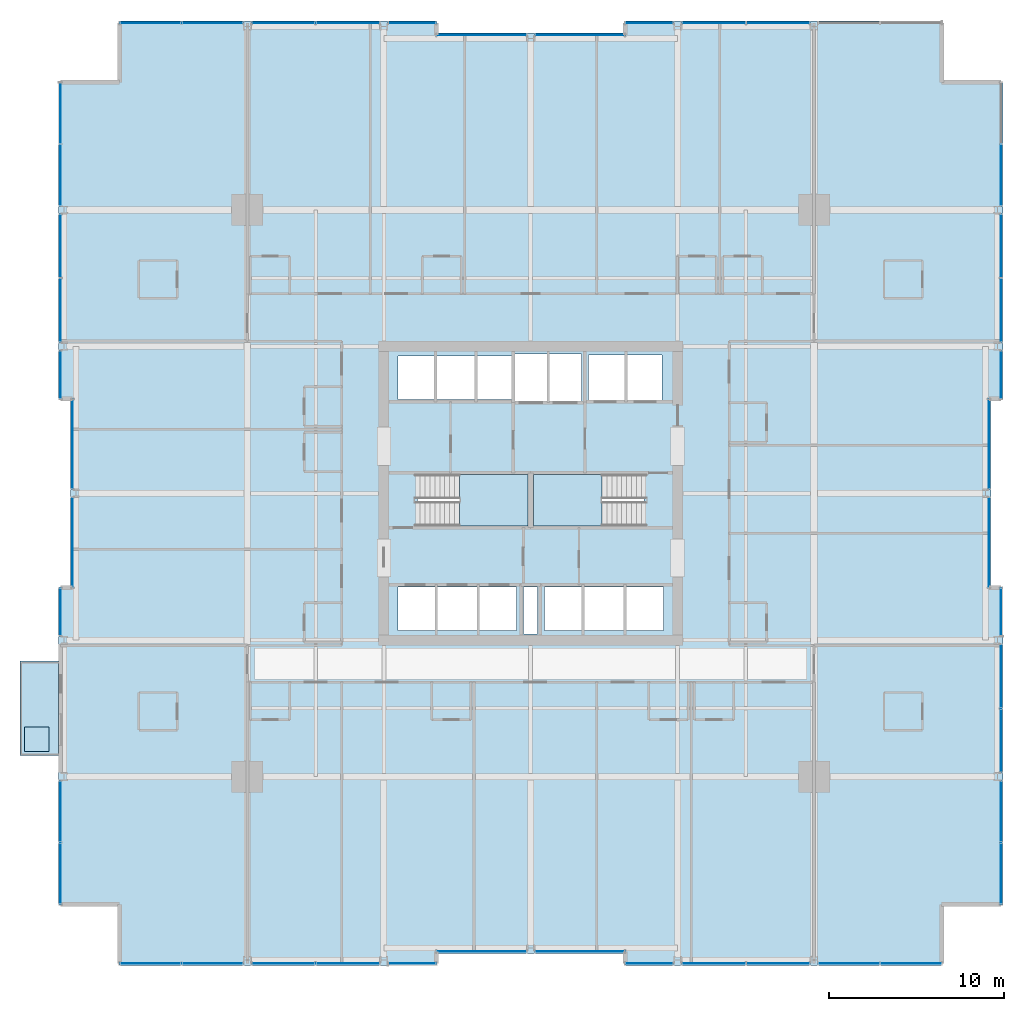
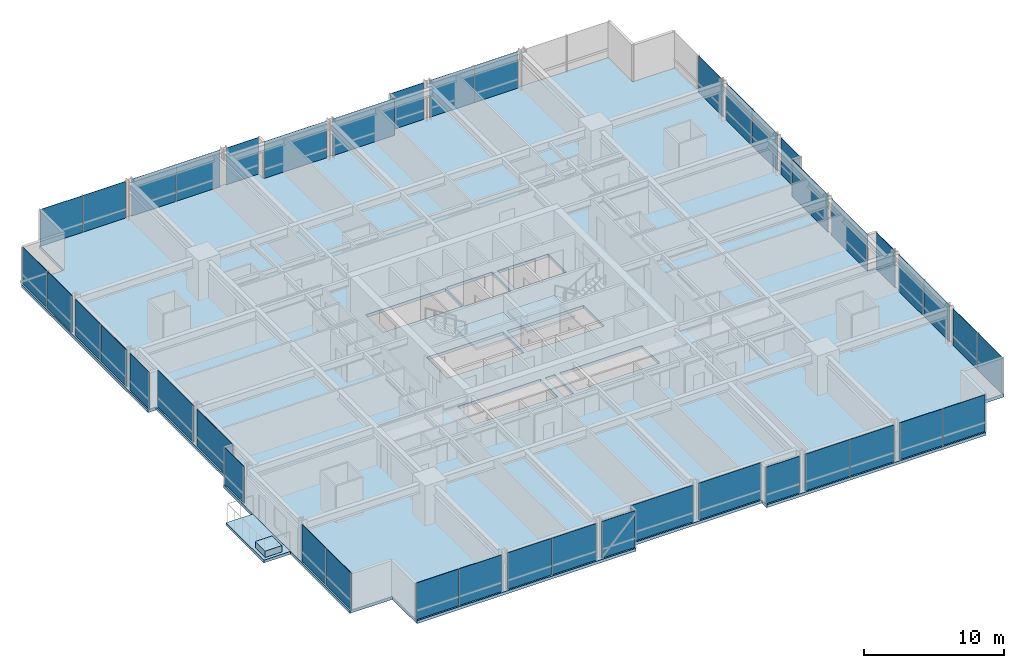
# One storey, part 29 of 38: 43 plates, 5 slabs, 32 elements without a shape of their own.
"""IFC4 building model written with IfcOpenShell, lengths in metres."""

from ifc_helpers import new_model, si_unit, direction, frame, origin, origin_2d, place, context, subcontext, project, spatial, polyline, rectangle, outline, extrude, material, layer, layer_set, type_object, element, aggregate, save


model = new_model("IFC4")

# Units and contexts
model_context = context("Model", 3, precision=1e-05, world=origin(), true_north=direction((0.0, 1.0)))
body_context = subcontext(model_context, "Body", "Model", "MODEL_VIEW")
ifc_project = project(units=[si_unit("LENGTHUNIT", "METRE"), si_unit("AREAUNIT", "SQUARE_METRE"), si_unit("VOLUMEUNIT", "CUBIC_METRE"), si_unit("PLANEANGLEUNIT", "RADIAN"), si_unit("MASSUNIT", "GRAM", prefix="KILO")], contexts=[model_context])

# Site, building, storey
site_placement = place(None, origin())
site = spatial("IfcSite", under=ifc_project, at=site_placement, CompositionType="ELEMENT")
building_placement = place(site_placement, origin())
building = spatial("IfcBuilding", under=site, at=building_placement, Name="Drelvath Grand Hotel", CompositionType="ELEMENT")
storey_placement = place(building_placement, frame((0.0, 0.0, 61.199951171875)))
storey = spatial("IfcBuildingStorey", under=building, at=storey_placement, Name="L14", CompositionType="ELEMENT", Elevation=61.199951171875)

# Slabs
ifc_material_1 = material(Name="Concrete f'c 40 MPa", Category="concrete")
ifc_layer_1 = layer(ifc_material_1, 0.239990234375)
ifc_layer_set_1 = layer_set([ifc_layer_1], Name="Concrete f'c 40 MPa")
slab_type_1 = type_object("IfcSlabType", Name="Cantilevered Tree Balcony Slab 240", PredefinedType="FLOOR", material=ifc_layer_set_1)
slab_1_placement = place(storey_placement, frame((0.0, 0.0, -0.239990234375)))
element("IfcSlab", 1, at=slab_1_placement, inside=storey, type_object=slab_type_1, Name="L14 Cantilevered Tree Balcony Slab 1", PredefinedType="FLOOR", context=body_context, shape_type="SweptSolid", body=[
    extrude(outline(polyline([(-29.199951171875, 12.0), (-27.0, 12.0), (-27.0, 17.39990234375), (-29.199951171875, 17.39990234375), (-29.199951171875, 12.0)])), origin(), (0.0, 0.0, 1.0), 0.239990234375),
])
ifc_layer_2 = layer(ifc_material_1, 0.260009765625)
ifc_layer_set_2 = layer_set([ifc_layer_2], Name="Concrete f'c 40 MPa")
slab_type_2 = type_object("IfcSlabType", Name="Composite RC Floor Slab 260", PredefinedType="FLOOR", material=ifc_layer_set_2)
slab_2_placement = place(storey_placement, frame((0.0, 0.0, -0.260009765625)))
element("IfcSlab", 2, at=slab_2_placement, inside=storey, type_object=slab_type_2, Name="L14 Structural Floor Slab", PredefinedType="FLOOR", context=body_context, shape_type="SweptSolid", body=[
    extrude(outline(polyline([(-23.5, 0.0), (-5.39990234375, 0.0), (-5.39990234375, 0.679931640625), (5.39990234375, 0.679931640625), (5.39990234375, 0.0), (23.5, 0.0), (23.5, 3.5), (27.0, 3.5), (27.0, 21.60009765625), (26.320068359375, 21.60009765625), (26.320068359375, 32.39990234375), (27.0, 32.39990234375), (27.0, 50.5), (23.5, 50.5), (23.5, 54.0), (5.39990234375, 54.0), (5.39990234375, 53.320068359375), (-5.39990234375, 53.320068359375), (-5.39990234375, 54.0), (-23.5, 54.0), (-23.5, 50.5), (-27.0, 50.5), (-27.0, 32.39990234375), (-26.320068359375, 32.39990234375), (-26.320068359375, 21.60009765625), (-27.0, 21.60009765625), (-27.0, 3.5), (-23.5, 3.5), (-23.5, 0.0)]), holes=[polyline([(-6.47998046875, 25.1201171875), (-6.47998046875, 28.080078125), (-0.14990234375, 28.080078125), (-0.14990234375, 25.1201171875), (-6.47998046875, 25.1201171875)]), polyline([(0.14990234375, 25.1201171875), (0.14990234375, 28.080078125), (6.47998046875, 28.080078125), (6.47998046875, 25.1201171875), (0.14990234375, 25.1201171875)]), polyline([(-7.60009765625, 19.14990234375), (-7.60009765625, 21.64990234375), (-0.800048828125, 21.64990234375), (-0.800048828125, 19.14990234375), (-7.60009765625, 19.14990234375)]), polyline([(-0.39990234375, 18.9599609375), (-0.39990234375, 21.639892578125), (0.39990234375, 21.639892578125), (0.39990234375, 18.9599609375), (-0.39990234375, 18.9599609375)]), polyline([(0.800048828125, 19.14990234375), (0.800048828125, 21.64990234375), (7.60009765625, 21.64990234375), (7.60009765625, 19.14990234375), (0.800048828125, 19.14990234375)]), polyline([(-7.60009765625, 32.35009765625), (-7.60009765625, 34.85009765625), (-1.02001953125, 34.85009765625), (-1.02001953125, 32.35009765625), (-7.60009765625, 32.35009765625)]), polyline([(-0.89990234375, 32.25), (-0.89990234375, 34.949951171875), (2.89990234375, 34.949951171875), (2.89990234375, 32.25), (-0.89990234375, 32.25)]), polyline([(3.300048828125, 32.300048828125), (3.300048828125, 34.89990234375), (7.5, 34.89990234375), (7.5, 32.300048828125), (3.300048828125, 32.300048828125)])]), origin(), (0.0, 0.0, 1.0), 0.260009765625),
])

# Stair, slab
ifc_material_2 = material(Name="Concrete C40/50", Category="concrete")
stair_type = type_object("IfcStairType", Name="Dogleg Exit Stair W1400-R175.0", PredefinedType="HALF_TURN_STAIR", material=ifc_material_2)
stair_1_placement = place(storey_placement, origin())
stair_1 = element("IfcStair", 3, at=stair_1_placement, inside=storey, type_object=stair_type, Name="L14 Core Exit Stair ST-1", PredefinedType="HALF_TURN_STAIR")
ifc_layer_3 = layer(ifc_material_2, 0.199951171875)
ifc_layer_set_3 = layer_set([ifc_layer_3], Name="Concrete C40/50")
slab_type_3 = type_object("IfcSlabType", Name="Concrete Stair Landing Slab 200", PredefinedType="LANDING", material=ifc_layer_set_3)
slab_3_placement = place(storey_placement, frame((0.0, 0.0, 1.550048828125)))
slab_3 = element("IfcSlab", 4, at=slab_3_placement, type_object=slab_type_3, Name="ST-1 landing 1", PredefinedType="LANDING", context=body_context, shape_type="SweptSolid", body=[
    extrude(outline(polyline([(-4.080078125, 25.1201171875), (-0.14990234375, 25.1201171875), (-0.14990234375, 28.080078125), (-4.080078125, 28.080078125), (-4.080078125, 25.1201171875)])), origin(), (0.0, 0.0, 1.0), 0.199951171875),
])
aggregate(stair_1, [slab_3])

stair_2_placement = place(storey_placement, origin())
stair_2 = element("IfcStair", 5, at=stair_2_placement, inside=storey, type_object=stair_type, Name="L14 Core Exit Stair ST-2", PredefinedType="HALF_TURN_STAIR")
slab_4_placement = place(storey_placement, frame((0.0, 0.0, 1.550048828125)))
slab_4 = element("IfcSlab", 6, at=slab_4_placement, type_object=slab_type_3, Name="ST-2 landing 1", PredefinedType="LANDING", context=body_context, shape_type="SweptSolid", body=[
    extrude(outline(polyline([(4.080078125, 28.080078125), (0.14990234375, 28.080078125), (0.14990234375, 25.1201171875), (4.080078125, 25.1201171875), (4.080078125, 28.080078125)])), origin(), (0.0, 0.0, 1.0), 0.199951171875),
])
aggregate(stair_2, [slab_4])

# Curtain wall, plates
ifc_material_3 = material(Name="Warm Bronze Anodised Aluminium Frame", Category="aluminium")
ifc_layer_4 = layer(ifc_material_3, 0.199951171875)
ifc_layer_set_4 = layer_set([ifc_layer_4], Name="Warm Bronze Anodised Aluminium Frame")
curtain_wall_type = type_object("IfcCurtainWallType", Name="Stick Curtain Wall CW-02 Warm Bronze Low-Rise", PredefinedType="NOTDEFINED", material=ifc_layer_set_4)
curtain_wall_1_placement = place(storey_placement, origin())
curtain_wall_1 = element("IfcCurtainWall", 7, at=curtain_wall_1_placement, inside=storey, type_object=curtain_wall_type, Name="L14 CW-02 Curtain Wall CW02-L14-WS1", PredefinedType="NOTDEFINED")
ifc_material_4 = material(Name="Low-E Triple Silver Vision Glass Bronze Tint", Category="glass")
ifc_layer_5 = layer(ifc_material_4, 0.035888671875)
ifc_layer_set_5 = layer_set([ifc_layer_5], Name="Low-E Triple Silver Vision Glass Bronze Tint")
plate_type = type_object("IfcPlateType", Name="Curtain Wall Vision Panel CW-02 36mm", PredefinedType="CURTAIN_PANEL", material=ifc_layer_set_5)
plate_1_placement = place(storey_placement, frame((-26.8798828125, 5.267578125, 0.02001953125), z_axis=(0.0, 0.0, 1.0), x_axis=(0.0, 1.0, 0.0)))
plate_1 = element("IfcPlate", 8, at=plate_1_placement, type_object=plate_type, Name="CW02-L14-WS1 Glazed Panel 1", PredefinedType="CURTAIN_PANEL", context=body_context, shape_type="SweptSolid", body=[
    extrude(rectangle(XDim=3.495361328125, YDim=0.035888671875, at=origin_2d()), origin(), (0.0, 0.0, 1.0), 3.199951171875),
])
plate_2_placement = place(storey_placement, frame((-26.8798828125, 8.80322265625, 0.02001953125), z_axis=(0.0, 0.0, 1.0), x_axis=(0.0, 1.0, 0.0)))
plate_2 = element("IfcPlate", 9, at=plate_2_placement, type_object=plate_type, Name="CW02-L14-WS1 Glazed Panel 2", PredefinedType="CURTAIN_PANEL", context=body_context, shape_type="SweptSolid", body=[
    extrude(rectangle(XDim=3.495361328125, YDim=0.035888671875, at=origin_2d()), origin(), (0.0, 0.0, 1.0), 3.199951171875),
])
aggregate(curtain_wall_1, [plate_1, plate_2])

# Curtain wall, plate
curtain_wall_2_placement = place(storey_placement, origin())
curtain_wall_2 = element("IfcCurtainWall", 10, at=curtain_wall_2_placement, inside=storey, type_object=curtain_wall_type, Name="L14 CW-02 Curtain Wall CW02-L14-WS3", PredefinedType="NOTDEFINED")
plate_3_placement = place(storey_placement, frame((-26.8798828125, 20.214599609375, 0.02001953125), z_axis=(0.0, 0.0, 1.0), x_axis=(0.0, 1.0, 0.0)))
plate_3 = element("IfcPlate", 11, at=plate_3_placement, type_object=plate_type, Name="CW02-L14-WS3 Glazed Panel 1", PredefinedType="CURTAIN_PANEL", context=body_context, shape_type="SweptSolid", body=[
    extrude(rectangle(XDim=2.73095703125, YDim=0.035888671875, at=origin_2d()), origin(), (0.0, 0.0, 1.0), 3.199951171875),
])
aggregate(curtain_wall_2, [plate_3])

curtain_wall_3_placement = place(storey_placement, origin())
curtain_wall_3 = element("IfcCurtainWall", 12, at=curtain_wall_3_placement, inside=storey, type_object=curtain_wall_type, Name="L14 CW-02 Curtain Wall CW02-L14-WM1", PredefinedType="NOTDEFINED")
plate_4_placement = place(storey_placement, frame((-26.199951171875, 24.185302734375, 0.02001953125), z_axis=(0.0, 0.0, 1.0), x_axis=(0.0, 1.0, 0.0)))
plate_4 = element("IfcPlate", 13, at=plate_4_placement, type_object=plate_type, Name="CW02-L14-WM1 Glazed Panel 1", PredefinedType="CURTAIN_PANEL", context=body_context, shape_type="SweptSolid", body=[
    extrude(rectangle(XDim=5.130859375, YDim=0.035888671875, at=origin_2d()), origin(), (0.0, 0.0, 1.0), 3.199951171875),
])
aggregate(curtain_wall_3, [plate_4])

curtain_wall_4_placement = place(storey_placement, origin())
curtain_wall_4 = element("IfcCurtainWall", 14, at=curtain_wall_4_placement, inside=storey, type_object=curtain_wall_type, Name="L14 CW-02 Curtain Wall CW02-L14-WM2", PredefinedType="NOTDEFINED")
plate_5_placement = place(storey_placement, frame((-26.199951171875, 29.814697265625, 0.02001953125), z_axis=(0.0, 0.0, 1.0), x_axis=(0.0, 1.0, 0.0)))
plate_5 = element("IfcPlate", 15, at=plate_5_placement, type_object=plate_type, Name="CW02-L14-WM2 Glazed Panel 1", PredefinedType="CURTAIN_PANEL", context=body_context, shape_type="SweptSolid", body=[
    extrude(rectangle(XDim=5.130859375, YDim=0.035888671875, at=origin_2d()), origin(), (0.0, 0.0, 1.0), 3.199951171875),
])
aggregate(curtain_wall_4, [plate_5])

curtain_wall_5_placement = place(storey_placement, origin())
curtain_wall_5 = element("IfcCurtainWall", 16, at=curtain_wall_5_placement, inside=storey, type_object=curtain_wall_type, Name="L14 CW-02 Curtain Wall CW02-L14-WN1", PredefinedType="NOTDEFINED")
plate_6_placement = place(storey_placement, frame((-26.8798828125, 33.785400390625, 0.02001953125), z_axis=(0.0, 0.0, 1.0), x_axis=(0.0, 1.0, 0.0)))
plate_6 = element("IfcPlate", 17, at=plate_6_placement, type_object=plate_type, Name="CW02-L14-WN1 Glazed Panel 1", PredefinedType="CURTAIN_PANEL", context=body_context, shape_type="SweptSolid", body=[
    extrude(rectangle(XDim=2.73095703125, YDim=0.035888671875, at=origin_2d()), origin(), (0.0, 0.0, 1.0), 3.199951171875),
])
aggregate(curtain_wall_5, [plate_6])

# Curtain wall, plates
curtain_wall_6_placement = place(storey_placement, origin())
curtain_wall_6 = element("IfcCurtainWall", 18, at=curtain_wall_6_placement, inside=storey, type_object=curtain_wall_type, Name="L14 CW-02 Curtain Wall CW02-L14-WN2", PredefinedType="NOTDEFINED")
plate_7_placement = place(storey_placement, frame((-26.8798828125, 37.464599609375, 0.02001953125), z_axis=(0.0, 0.0, 1.0), x_axis=(0.0, 1.0, 0.0)))
plate_7 = element("IfcPlate", 19, at=plate_7_placement, type_object=plate_type, Name="CW02-L14-WN2 Glazed Panel 1", PredefinedType="CURTAIN_PANEL", context=body_context, shape_type="SweptSolid", body=[
    extrude(rectangle(XDim=3.630859375, YDim=0.035888671875, at=origin_2d()), origin(), (0.0, 0.0, 1.0), 3.199951171875),
])
plate_8_placement = place(storey_placement, frame((-26.8798828125, 41.135498046875, 0.02001953125), z_axis=(0.0, 0.0, 1.0), x_axis=(0.0, 1.0, 0.0)))
plate_8 = element("IfcPlate", 20, at=plate_8_placement, type_object=plate_type, Name="CW02-L14-WN2 Glazed Panel 2", PredefinedType="CURTAIN_PANEL", context=body_context, shape_type="SweptSolid", body=[
    extrude(rectangle(XDim=3.630859375, YDim=0.035888671875, at=origin_2d()), origin(), (0.0, 0.0, 1.0), 3.199951171875),
])
aggregate(curtain_wall_6, [plate_7, plate_8])

curtain_wall_7_placement = place(storey_placement, origin())
curtain_wall_7 = element("IfcCurtainWall", 21, at=curtain_wall_7_placement, inside=storey, type_object=curtain_wall_type, Name="L14 CW-02 Curtain Wall CW02-L14-WN3", PredefinedType="NOTDEFINED")
plate_9_placement = place(storey_placement, frame((-26.8798828125, 45.19677734375, 0.02001953125), z_axis=(0.0, 0.0, 1.0), x_axis=(0.0, 1.0, 0.0)))
plate_9 = element("IfcPlate", 22, at=plate_9_placement, type_object=plate_type, Name="CW02-L14-WN3 Glazed Panel 1", PredefinedType="CURTAIN_PANEL", context=body_context, shape_type="SweptSolid", body=[
    extrude(rectangle(XDim=3.49560546875, YDim=0.035888671875, at=origin_2d()), origin(), (0.0, 0.0, 1.0), 3.199951171875),
])
plate_10_placement = place(storey_placement, frame((-26.8798828125, 48.732421875, 0.02001953125), z_axis=(0.0, 0.0, 1.0), x_axis=(0.0, 1.0, 0.0)))
plate_10 = element("IfcPlate", 23, at=plate_10_placement, type_object=plate_type, Name="CW02-L14-WN3 Glazed Panel 2", PredefinedType="CURTAIN_PANEL", context=body_context, shape_type="SweptSolid", body=[
    extrude(rectangle(XDim=3.49560546875, YDim=0.035888671875, at=origin_2d()), origin(), (0.0, 0.0, 1.0), 3.199951171875),
])
aggregate(curtain_wall_7, [plate_9, plate_10])

# Curtain wall, plate
curtain_wall_8_placement = place(storey_placement, origin())
curtain_wall_8 = element("IfcCurtainWall", 24, at=curtain_wall_8_placement, inside=storey, type_object=curtain_wall_type, Name="L14 CW-02 Curtain Wall CW02-L14-EN1", PredefinedType="NOTDEFINED")
plate_11_placement = place(storey_placement, frame((26.8798828125, 33.785400390625, 0.02001953125), z_axis=(0.0, 0.0, 1.0), x_axis=(0.0, -1.0, 0.0)))
plate_11 = element("IfcPlate", 25, at=plate_11_placement, type_object=plate_type, Name="CW02-L14-EN1 Glazed Panel 1", PredefinedType="CURTAIN_PANEL", context=body_context, shape_type="SweptSolid", body=[
    extrude(rectangle(XDim=2.73095703125, YDim=0.035888671875, at=origin_2d()), origin(), (0.0, 0.0, 1.0), 3.199951171875),
])
aggregate(curtain_wall_8, [plate_11])

# Curtain wall, plates
curtain_wall_9_placement = place(storey_placement, origin())
curtain_wall_9 = element("IfcCurtainWall", 26, at=curtain_wall_9_placement, inside=storey, type_object=curtain_wall_type, Name="L14 CW-02 Curtain Wall CW02-L14-EN2", PredefinedType="NOTDEFINED")
plate_12_placement = place(storey_placement, frame((26.8798828125, 41.135498046875, 0.02001953125), z_axis=(0.0, 0.0, 1.0), x_axis=(0.0, -1.0, 0.0)))
plate_12 = element("IfcPlate", 27, at=plate_12_placement, type_object=plate_type, Name="CW02-L14-EN2 Glazed Panel 1", PredefinedType="CURTAIN_PANEL", context=body_context, shape_type="SweptSolid", body=[
    extrude(rectangle(XDim=3.630859375, YDim=0.035888671875, at=origin_2d()), origin(), (0.0, 0.0, 1.0), 3.199951171875),
])
plate_13_placement = place(storey_placement, frame((26.8798828125, 37.464599609375, 0.02001953125), z_axis=(0.0, 0.0, 1.0), x_axis=(0.0, -1.0, 0.0)))
plate_13 = element("IfcPlate", 28, at=plate_13_placement, type_object=plate_type, Name="CW02-L14-EN2 Glazed Panel 2", PredefinedType="CURTAIN_PANEL", context=body_context, shape_type="SweptSolid", body=[
    extrude(rectangle(XDim=3.630859375, YDim=0.035888671875, at=origin_2d()), origin(), (0.0, 0.0, 1.0), 3.199951171875),
])
aggregate(curtain_wall_9, [plate_12, plate_13])

# Curtain wall, plate
curtain_wall_10_placement = place(storey_placement, origin())
curtain_wall_10 = element("IfcCurtainWall", 29, at=curtain_wall_10_placement, inside=storey, type_object=curtain_wall_type, Name="L14 CW-02 Curtain Wall CW02-L14-EN3", PredefinedType="NOTDEFINED")
plate_14_placement = place(storey_placement, frame((26.8798828125, 45.19677734375, 0.02001953125), z_axis=(0.0, 0.0, 1.0), x_axis=(0.0, -1.0, 0.0)))
plate_14 = element("IfcPlate", 30, at=plate_14_placement, type_object=plate_type, Name="CW02-L14-EN3 Glazed Panel 2", PredefinedType="CURTAIN_PANEL", context=body_context, shape_type="SweptSolid", body=[
    extrude(rectangle(XDim=3.49560546875, YDim=0.035888671875, at=origin_2d()), origin(), (0.0, 0.0, 1.0), 3.199951171875),
])
aggregate(curtain_wall_10, [plate_14])

curtain_wall_11_placement = place(storey_placement, origin())
curtain_wall_11 = element("IfcCurtainWall", 31, at=curtain_wall_11_placement, inside=storey, type_object=curtain_wall_type, Name="L14 CW-02 Curtain Wall CW02-L14-EM1", PredefinedType="NOTDEFINED")
plate_15_placement = place(storey_placement, frame((26.199951171875, 24.185302734375, 0.02001953125), z_axis=(0.0, 0.0, 1.0), x_axis=(0.0, -1.0, 0.0)))
plate_15 = element("IfcPlate", 32, at=plate_15_placement, type_object=plate_type, Name="CW02-L14-EM1 Glazed Panel 1", PredefinedType="CURTAIN_PANEL", context=body_context, shape_type="SweptSolid", body=[
    extrude(rectangle(XDim=5.130859375, YDim=0.035888671875, at=origin_2d()), origin(), (0.0, 0.0, 1.0), 3.199951171875),
])
aggregate(curtain_wall_11, [plate_15])

curtain_wall_12_placement = place(storey_placement, origin())
curtain_wall_12 = element("IfcCurtainWall", 33, at=curtain_wall_12_placement, inside=storey, type_object=curtain_wall_type, Name="L14 CW-02 Curtain Wall CW02-L14-EM2", PredefinedType="NOTDEFINED")
plate_16_placement = place(storey_placement, frame((26.199951171875, 29.814697265625, 0.02001953125), z_axis=(0.0, 0.0, 1.0), x_axis=(0.0, -1.0, 0.0)))
plate_16 = element("IfcPlate", 34, at=plate_16_placement, type_object=plate_type, Name="CW02-L14-EM2 Glazed Panel 1", PredefinedType="CURTAIN_PANEL", context=body_context, shape_type="SweptSolid", body=[
    extrude(rectangle(XDim=5.130859375, YDim=0.035888671875, at=origin_2d()), origin(), (0.0, 0.0, 1.0), 3.199951171875),
])
aggregate(curtain_wall_12, [plate_16])

# Curtain wall, plates
curtain_wall_13_placement = place(storey_placement, origin())
curtain_wall_13 = element("IfcCurtainWall", 35, at=curtain_wall_13_placement, inside=storey, type_object=curtain_wall_type, Name="L14 CW-02 Curtain Wall CW02-L14-ES1", PredefinedType="NOTDEFINED")
plate_17_placement = place(storey_placement, frame((26.8798828125, 8.80322265625, 0.02001953125), z_axis=(0.0, 0.0, 1.0), x_axis=(0.0, -1.0, 0.0)))
plate_17 = element("IfcPlate", 36, at=plate_17_placement, type_object=plate_type, Name="CW02-L14-ES1 Glazed Panel 1", PredefinedType="CURTAIN_PANEL", context=body_context, shape_type="SweptSolid", body=[
    extrude(rectangle(XDim=3.495361328125, YDim=0.035888671875, at=origin_2d()), origin(), (0.0, 0.0, 1.0), 3.199951171875),
])
plate_18_placement = place(storey_placement, frame((26.8798828125, 5.267578125, 0.02001953125), z_axis=(0.0, 0.0, 1.0), x_axis=(0.0, -1.0, 0.0)))
plate_18 = element("IfcPlate", 37, at=plate_18_placement, type_object=plate_type, Name="CW02-L14-ES1 Glazed Panel 2", PredefinedType="CURTAIN_PANEL", context=body_context, shape_type="SweptSolid", body=[
    extrude(rectangle(XDim=3.495361328125, YDim=0.035888671875, at=origin_2d()), origin(), (0.0, 0.0, 1.0), 3.199951171875),
])
aggregate(curtain_wall_13, [plate_17, plate_18])

curtain_wall_14_placement = place(storey_placement, origin())
curtain_wall_14 = element("IfcCurtainWall", 38, at=curtain_wall_14_placement, inside=storey, type_object=curtain_wall_type, Name="L14 CW-02 Curtain Wall CW02-L14-ES2", PredefinedType="NOTDEFINED")
plate_19_placement = place(storey_placement, frame((26.8798828125, 16.535400390625, 0.02001953125), z_axis=(0.0, 0.0, 1.0), x_axis=(0.0, -1.0, 0.0)))
plate_19 = element("IfcPlate", 39, at=plate_19_placement, type_object=plate_type, Name="CW02-L14-ES2 Glazed Panel 1", PredefinedType="CURTAIN_PANEL", context=body_context, shape_type="SweptSolid", body=[
    extrude(rectangle(XDim=3.630859375, YDim=0.035888671875, at=origin_2d()), origin(), (0.0, 0.0, 1.0), 3.199951171875),
])
plate_20_placement = place(storey_placement, frame((26.8798828125, 12.864501953125, 0.02001953125), z_axis=(0.0, 0.0, 1.0), x_axis=(0.0, -1.0, 0.0)))
plate_20 = element("IfcPlate", 40, at=plate_20_placement, type_object=plate_type, Name="CW02-L14-ES2 Glazed Panel 2", PredefinedType="CURTAIN_PANEL", context=body_context, shape_type="SweptSolid", body=[
    extrude(rectangle(XDim=3.630859375, YDim=0.035888671875, at=origin_2d()), origin(), (0.0, 0.0, 1.0), 3.199951171875),
])
aggregate(curtain_wall_14, [plate_19, plate_20])

# Curtain wall, plate
curtain_wall_15_placement = place(storey_placement, origin())
curtain_wall_15 = element("IfcCurtainWall", 41, at=curtain_wall_15_placement, inside=storey, type_object=curtain_wall_type, Name="L14 CW-02 Curtain Wall CW02-L14-ES3", PredefinedType="NOTDEFINED")
plate_21_placement = place(storey_placement, frame((26.8798828125, 20.214599609375, 0.02001953125), z_axis=(0.0, 0.0, 1.0), x_axis=(0.0, -1.0, 0.0)))
plate_21 = element("IfcPlate", 42, at=plate_21_placement, type_object=plate_type, Name="CW02-L14-ES3 Glazed Panel 1", PredefinedType="CURTAIN_PANEL", context=body_context, shape_type="SweptSolid", body=[
    extrude(rectangle(XDim=2.73095703125, YDim=0.035888671875, at=origin_2d()), origin(), (0.0, 0.0, 1.0), 3.199951171875),
])
aggregate(curtain_wall_15, [plate_21])

# Curtain wall, plates
curtain_wall_16_placement = place(storey_placement, origin())
curtain_wall_16 = element("IfcCurtainWall", 43, at=curtain_wall_16_placement, inside=storey, type_object=curtain_wall_type, Name="L14 CW-02 Curtain Wall CW02-L14-NW1", PredefinedType="NOTDEFINED")
plate_22_placement = place(storey_placement, frame((-21.732421875, 53.8798828125, 0.02001953125), z_axis=(0.0, 0.0, 1.0), x_axis=(1.0, 0.0, 0.0)))
plate_22 = element("IfcPlate", 44, at=plate_22_placement, type_object=plate_type, Name="CW02-L14-NW1 Glazed Panel 1", PredefinedType="CURTAIN_PANEL", context=body_context, shape_type="SweptSolid", body=[
    extrude(rectangle(XDim=3.49560546875, YDim=0.035888671875, at=origin_2d()), origin(), (0.0, 0.0, 1.0), 3.199951171875),
])
plate_23_placement = place(storey_placement, frame((-18.19677734375, 53.8798828125, 0.02001953125), z_axis=(0.0, 0.0, 1.0), x_axis=(1.0, 0.0, 0.0)))
plate_23 = element("IfcPlate", 45, at=plate_23_placement, type_object=plate_type, Name="CW02-L14-NW1 Glazed Panel 2", PredefinedType="CURTAIN_PANEL", context=body_context, shape_type="SweptSolid", body=[
    extrude(rectangle(XDim=3.49560546875, YDim=0.035888671875, at=origin_2d()), origin(), (0.0, 0.0, 1.0), 3.199951171875),
])
aggregate(curtain_wall_16, [plate_22, plate_23])

curtain_wall_17_placement = place(storey_placement, origin())
curtain_wall_17 = element("IfcCurtainWall", 46, at=curtain_wall_17_placement, inside=storey, type_object=curtain_wall_type, Name="L14 CW-02 Curtain Wall CW02-L14-NW2", PredefinedType="NOTDEFINED")
plate_24_placement = place(storey_placement, frame((-14.135498046875, 53.8798828125, 0.02001953125), z_axis=(0.0, 0.0, 1.0), x_axis=(1.0, 0.0, 0.0)))
plate_24 = element("IfcPlate", 47, at=plate_24_placement, type_object=plate_type, Name="CW02-L14-NW2 Glazed Panel 1", PredefinedType="CURTAIN_PANEL", context=body_context, shape_type="SweptSolid", body=[
    extrude(rectangle(XDim=3.630859375, YDim=0.035888671875, at=origin_2d()), origin(), (0.0, 0.0, 1.0), 3.199951171875),
])
plate_25_placement = place(storey_placement, frame((-10.464599609375, 53.8798828125, 0.02001953125), z_axis=(0.0, 0.0, 1.0), x_axis=(1.0, 0.0, 0.0)))
plate_25 = element("IfcPlate", 48, at=plate_25_placement, type_object=plate_type, Name="CW02-L14-NW2 Glazed Panel 2", PredefinedType="CURTAIN_PANEL", context=body_context, shape_type="SweptSolid", body=[
    extrude(rectangle(XDim=3.630859375, YDim=0.035888671875, at=origin_2d()), origin(), (0.0, 0.0, 1.0), 3.199951171875),
])
aggregate(curtain_wall_17, [plate_24, plate_25])

# Curtain wall, plate
curtain_wall_18_placement = place(storey_placement, origin())
curtain_wall_18 = element("IfcCurtainWall", 49, at=curtain_wall_18_placement, inside=storey, type_object=curtain_wall_type, Name="L14 CW-02 Curtain Wall CW02-L14-NW3", PredefinedType="NOTDEFINED")
plate_26_placement = place(storey_placement, frame((-6.785400390625, 53.8798828125, 0.02001953125), z_axis=(0.0, 0.0, 1.0), x_axis=(1.0, 0.0, 0.0)))
plate_26 = element("IfcPlate", 50, at=plate_26_placement, type_object=plate_type, Name="CW02-L14-NW3 Glazed Panel 1", PredefinedType="CURTAIN_PANEL", context=body_context, shape_type="SweptSolid", body=[
    extrude(rectangle(XDim=2.73095703125, YDim=0.035888671875, at=origin_2d()), origin(), (0.0, 0.0, 1.0), 3.199951171875),
])
aggregate(curtain_wall_18, [plate_26])

curtain_wall_19_placement = place(storey_placement, origin())
curtain_wall_19 = element("IfcCurtainWall", 51, at=curtain_wall_19_placement, inside=storey, type_object=curtain_wall_type, Name="L14 CW-02 Curtain Wall CW02-L14-NM1", PredefinedType="NOTDEFINED")
plate_27_placement = place(storey_placement, frame((-2.814697265625, 53.199951171875, 0.02001953125), z_axis=(0.0, 0.0, 1.0), x_axis=(1.0, 0.0, 0.0)))
plate_27 = element("IfcPlate", 52, at=plate_27_placement, type_object=plate_type, Name="CW02-L14-NM1 Glazed Panel 1", PredefinedType="CURTAIN_PANEL", context=body_context, shape_type="SweptSolid", body=[
    extrude(rectangle(XDim=5.130859375, YDim=0.035888671875, at=origin_2d()), origin(), (0.0, 0.0, 1.0), 3.199951171875),
])
aggregate(curtain_wall_19, [plate_27])

curtain_wall_20_placement = place(storey_placement, origin())
curtain_wall_20 = element("IfcCurtainWall", 53, at=curtain_wall_20_placement, inside=storey, type_object=curtain_wall_type, Name="L14 CW-02 Curtain Wall CW02-L14-NM2", PredefinedType="NOTDEFINED")
plate_28_placement = place(storey_placement, frame((2.814697265625, 53.199951171875, 0.02001953125), z_axis=(0.0, 0.0, 1.0), x_axis=(1.0, 0.0, 0.0)))
plate_28 = element("IfcPlate", 54, at=plate_28_placement, type_object=plate_type, Name="CW02-L14-NM2 Glazed Panel 1", PredefinedType="CURTAIN_PANEL", context=body_context, shape_type="SweptSolid", body=[
    extrude(rectangle(XDim=5.130859375, YDim=0.035888671875, at=origin_2d()), origin(), (0.0, 0.0, 1.0), 3.199951171875),
])
aggregate(curtain_wall_20, [plate_28])

curtain_wall_21_placement = place(storey_placement, origin())
curtain_wall_21 = element("IfcCurtainWall", 55, at=curtain_wall_21_placement, inside=storey, type_object=curtain_wall_type, Name="L14 CW-02 Curtain Wall CW02-L14-NE1", PredefinedType="NOTDEFINED")
plate_29_placement = place(storey_placement, frame((6.785400390625, 53.8798828125, 0.02001953125), z_axis=(0.0, 0.0, 1.0), x_axis=(1.0, 0.0, 0.0)))
plate_29 = element("IfcPlate", 56, at=plate_29_placement, type_object=plate_type, Name="CW02-L14-NE1 Glazed Panel 1", PredefinedType="CURTAIN_PANEL", context=body_context, shape_type="SweptSolid", body=[
    extrude(rectangle(XDim=2.73095703125, YDim=0.035888671875, at=origin_2d()), origin(), (0.0, 0.0, 1.0), 3.199951171875),
])
aggregate(curtain_wall_21, [plate_29])

# Curtain wall, plates
curtain_wall_22_placement = place(storey_placement, origin())
curtain_wall_22 = element("IfcCurtainWall", 57, at=curtain_wall_22_placement, inside=storey, type_object=curtain_wall_type, Name="L14 CW-02 Curtain Wall CW02-L14-NE2", PredefinedType="NOTDEFINED")
plate_30_placement = place(storey_placement, frame((10.464599609375, 53.8798828125, 0.02001953125), z_axis=(0.0, 0.0, 1.0), x_axis=(1.0, 0.0, 0.0)))
plate_30 = element("IfcPlate", 58, at=plate_30_placement, type_object=plate_type, Name="CW02-L14-NE2 Glazed Panel 1", PredefinedType="CURTAIN_PANEL", context=body_context, shape_type="SweptSolid", body=[
    extrude(rectangle(XDim=3.630859375, YDim=0.035888671875, at=origin_2d()), origin(), (0.0, 0.0, 1.0), 3.199951171875),
])
plate_31_placement = place(storey_placement, frame((14.135498046875, 53.8798828125, 0.02001953125), z_axis=(0.0, 0.0, 1.0), x_axis=(1.0, 0.0, 0.0)))
plate_31 = element("IfcPlate", 59, at=plate_31_placement, type_object=plate_type, Name="CW02-L14-NE2 Glazed Panel 2", PredefinedType="CURTAIN_PANEL", context=body_context, shape_type="SweptSolid", body=[
    extrude(rectangle(XDim=3.630859375, YDim=0.035888671875, at=origin_2d()), origin(), (0.0, 0.0, 1.0), 3.199951171875),
])
aggregate(curtain_wall_22, [plate_30, plate_31])

# Curtain wall, plate
curtain_wall_23_placement = place(storey_placement, origin())
curtain_wall_23 = element("IfcCurtainWall", 60, at=curtain_wall_23_placement, inside=storey, type_object=curtain_wall_type, Name="L14 CW-02 Curtain Wall CW02-L14-SE1", PredefinedType="NOTDEFINED")
plate_32_placement = place(storey_placement, frame((6.785400390625, 0.1201171875, 0.02001953125), z_axis=(0.0, 0.0, 1.0), x_axis=(-1.0, 0.0, 0.0)))
plate_32 = element("IfcPlate", 61, at=plate_32_placement, type_object=plate_type, Name="CW02-L14-SE1 Glazed Panel 1", PredefinedType="CURTAIN_PANEL", context=body_context, shape_type="SweptSolid", body=[
    extrude(rectangle(XDim=2.73095703125, YDim=0.035888671875, at=origin_2d()), origin(), (0.0, 0.0, 1.0), 3.199951171875),
])
aggregate(curtain_wall_23, [plate_32])

# Curtain wall, plates
curtain_wall_24_placement = place(storey_placement, origin())
curtain_wall_24 = element("IfcCurtainWall", 62, at=curtain_wall_24_placement, inside=storey, type_object=curtain_wall_type, Name="L14 CW-02 Curtain Wall CW02-L14-SE2", PredefinedType="NOTDEFINED")
plate_33_placement = place(storey_placement, frame((14.135498046875, 0.1201171875, 0.02001953125), z_axis=(0.0, 0.0, 1.0), x_axis=(-1.0, 0.0, 0.0)))
plate_33 = element("IfcPlate", 63, at=plate_33_placement, type_object=plate_type, Name="CW02-L14-SE2 Glazed Panel 1", PredefinedType="CURTAIN_PANEL", context=body_context, shape_type="SweptSolid", body=[
    extrude(rectangle(XDim=3.630859375, YDim=0.035888671875, at=origin_2d()), origin(), (0.0, 0.0, 1.0), 3.199951171875),
])
plate_34_placement = place(storey_placement, frame((10.464599609375, 0.1201171875, 0.02001953125), z_axis=(0.0, 0.0, 1.0), x_axis=(-1.0, 0.0, 0.0)))
plate_34 = element("IfcPlate", 64, at=plate_34_placement, type_object=plate_type, Name="CW02-L14-SE2 Glazed Panel 2", PredefinedType="CURTAIN_PANEL", context=body_context, shape_type="SweptSolid", body=[
    extrude(rectangle(XDim=3.630859375, YDim=0.035888671875, at=origin_2d()), origin(), (0.0, 0.0, 1.0), 3.199951171875),
])
aggregate(curtain_wall_24, [plate_33, plate_34])

curtain_wall_25_placement = place(storey_placement, origin())
curtain_wall_25 = element("IfcCurtainWall", 65, at=curtain_wall_25_placement, inside=storey, type_object=curtain_wall_type, Name="L14 CW-02 Curtain Wall CW02-L14-SE3", PredefinedType="NOTDEFINED")
plate_35_placement = place(storey_placement, frame((21.732421875, 0.1201171875, 0.02001953125), z_axis=(0.0, 0.0, 1.0), x_axis=(-1.0, 0.0, 0.0)))
plate_35 = element("IfcPlate", 66, at=plate_35_placement, type_object=plate_type, Name="CW02-L14-SE3 Glazed Panel 1", PredefinedType="CURTAIN_PANEL", context=body_context, shape_type="SweptSolid", body=[
    extrude(rectangle(XDim=3.49560546875, YDim=0.035888671875, at=origin_2d()), origin(), (0.0, 0.0, 1.0), 3.199951171875),
])
plate_36_placement = place(storey_placement, frame((18.19677734375, 0.1201171875, 0.02001953125), z_axis=(0.0, 0.0, 1.0), x_axis=(-1.0, 0.0, 0.0)))
plate_36 = element("IfcPlate", 67, at=plate_36_placement, type_object=plate_type, Name="CW02-L14-SE3 Glazed Panel 2", PredefinedType="CURTAIN_PANEL", context=body_context, shape_type="SweptSolid", body=[
    extrude(rectangle(XDim=3.49560546875, YDim=0.035888671875, at=origin_2d()), origin(), (0.0, 0.0, 1.0), 3.199951171875),
])
aggregate(curtain_wall_25, [plate_35, plate_36])

# Curtain wall, plate
curtain_wall_26_placement = place(storey_placement, origin())
curtain_wall_26 = element("IfcCurtainWall", 68, at=curtain_wall_26_placement, inside=storey, type_object=curtain_wall_type, Name="L14 CW-02 Curtain Wall CW02-L14-SM1", PredefinedType="NOTDEFINED")
plate_37_placement = place(storey_placement, frame((-2.814697265625, 0.800048828125, 0.02001953125), z_axis=(0.0, 0.0, 1.0), x_axis=(-1.0, 0.0, 0.0)))
plate_37 = element("IfcPlate", 69, at=plate_37_placement, type_object=plate_type, Name="CW02-L14-SM1 Glazed Panel 1", PredefinedType="CURTAIN_PANEL", context=body_context, shape_type="SweptSolid", body=[
    extrude(rectangle(XDim=5.130859375, YDim=0.035888671875, at=origin_2d()), origin(), (0.0, 0.0, 1.0), 3.199951171875),
])
aggregate(curtain_wall_26, [plate_37])

curtain_wall_27_placement = place(storey_placement, origin())
curtain_wall_27 = element("IfcCurtainWall", 70, at=curtain_wall_27_placement, inside=storey, type_object=curtain_wall_type, Name="L14 CW-02 Curtain Wall CW02-L14-SM2", PredefinedType="NOTDEFINED")
plate_38_placement = place(storey_placement, frame((2.814697265625, 0.800048828125, 0.02001953125), z_axis=(0.0, 0.0, 1.0), x_axis=(-1.0, 0.0, 0.0)))
plate_38 = element("IfcPlate", 71, at=plate_38_placement, type_object=plate_type, Name="CW02-L14-SM2 Glazed Panel 1", PredefinedType="CURTAIN_PANEL", context=body_context, shape_type="SweptSolid", body=[
    extrude(rectangle(XDim=5.130859375, YDim=0.035888671875, at=origin_2d()), origin(), (0.0, 0.0, 1.0), 3.199951171875),
])
aggregate(curtain_wall_27, [plate_38])

# Curtain wall, plates
curtain_wall_28_placement = place(storey_placement, origin())
curtain_wall_28 = element("IfcCurtainWall", 72, at=curtain_wall_28_placement, inside=storey, type_object=curtain_wall_type, Name="L14 CW-02 Curtain Wall CW02-L14-SW1", PredefinedType="NOTDEFINED")
plate_39_placement = place(storey_placement, frame((-18.19677734375, 0.1201171875, 0.02001953125), z_axis=(0.0, 0.0, 1.0), x_axis=(-1.0, 0.0, 0.0)))
plate_39 = element("IfcPlate", 73, at=plate_39_placement, type_object=plate_type, Name="CW02-L14-SW1 Glazed Panel 1", PredefinedType="CURTAIN_PANEL", context=body_context, shape_type="SweptSolid", body=[
    extrude(rectangle(XDim=3.49560546875, YDim=0.035888671875, at=origin_2d()), origin(), (0.0, 0.0, 1.0), 3.199951171875),
])
plate_40_placement = place(storey_placement, frame((-21.732421875, 0.1201171875, 0.02001953125), z_axis=(0.0, 0.0, 1.0), x_axis=(-1.0, 0.0, 0.0)))
plate_40 = element("IfcPlate", 74, at=plate_40_placement, type_object=plate_type, Name="CW02-L14-SW1 Glazed Panel 2", PredefinedType="CURTAIN_PANEL", context=body_context, shape_type="SweptSolid", body=[
    extrude(rectangle(XDim=3.49560546875, YDim=0.035888671875, at=origin_2d()), origin(), (0.0, 0.0, 1.0), 3.199951171875),
])
aggregate(curtain_wall_28, [plate_39, plate_40])

curtain_wall_29_placement = place(storey_placement, origin())
curtain_wall_29 = element("IfcCurtainWall", 75, at=curtain_wall_29_placement, inside=storey, type_object=curtain_wall_type, Name="L14 CW-02 Curtain Wall CW02-L14-SW2", PredefinedType="NOTDEFINED")
plate_41_placement = place(storey_placement, frame((-10.464599609375, 0.1201171875, 0.02001953125), z_axis=(0.0, 0.0, 1.0), x_axis=(-1.0, 0.0, 0.0)))
plate_41 = element("IfcPlate", 76, at=plate_41_placement, type_object=plate_type, Name="CW02-L14-SW2 Glazed Panel 1", PredefinedType="CURTAIN_PANEL", context=body_context, shape_type="SweptSolid", body=[
    extrude(rectangle(XDim=3.630859375, YDim=0.035888671875, at=origin_2d()), origin(), (0.0, 0.0, 1.0), 3.199951171875),
])
plate_42_placement = place(storey_placement, frame((-14.135498046875, 0.1201171875, 0.02001953125), z_axis=(0.0, 0.0, 1.0), x_axis=(-1.0, 0.0, 0.0)))
plate_42 = element("IfcPlate", 77, at=plate_42_placement, type_object=plate_type, Name="CW02-L14-SW2 Glazed Panel 2", PredefinedType="CURTAIN_PANEL", context=body_context, shape_type="SweptSolid", body=[
    extrude(rectangle(XDim=3.630859375, YDim=0.035888671875, at=origin_2d()), origin(), (0.0, 0.0, 1.0), 3.199951171875),
])
aggregate(curtain_wall_29, [plate_41, plate_42])

# Curtain wall, plate
curtain_wall_30_placement = place(storey_placement, origin())
curtain_wall_30 = element("IfcCurtainWall", 78, at=curtain_wall_30_placement, inside=storey, type_object=curtain_wall_type, Name="L14 CW-02 Curtain Wall CW02-L14-SW3", PredefinedType="NOTDEFINED")
plate_43_placement = place(storey_placement, frame((-6.785400390625, 0.1201171875, 0.02001953125), z_axis=(0.0, 0.0, 1.0), x_axis=(-1.0, 0.0, 0.0)))
plate_43 = element("IfcPlate", 79, at=plate_43_placement, type_object=plate_type, Name="CW02-L14-SW3 Glazed Panel 1", PredefinedType="CURTAIN_PANEL", context=body_context, shape_type="SweptSolid", body=[
    extrude(rectangle(XDim=2.73095703125, YDim=0.035888671875, at=origin_2d()), origin(), (0.0, 0.0, 1.0), 3.199951171875),
])
aggregate(curtain_wall_30, [plate_43])

# Slab
ifc_layer_6 = layer(ifc_material_1, 0.550048828125)
ifc_layer_set_6 = layer_set([ifc_layer_6], Name="Concrete f'c 40 MPa")
slab_type_4 = type_object("IfcSlabType", Name="Structural Tree Planter Box 550", PredefinedType="USERDEFINED", material=ifc_layer_set_6)
slab_5_placement = place(storey_placement, origin())
element("IfcSlab", 80, at=slab_5_placement, inside=storey, type_object=slab_type_4, Name="L14 Tree Balcony Structural Planter 1", ObjectType="PLANTER", PredefinedType="USERDEFINED", context=body_context, shape_type="SweptSolid", body=[
    extrude(outline(polyline([(-28.949951171875, 12.25), (-27.550048828125, 12.25), (-27.550048828125, 13.64990234375), (-28.949951171875, 13.64990234375), (-28.949951171875, 12.25)])), origin(), (0.0, 0.0, 1.0), 0.550048828125),
])

save(model, "model.ifc")
